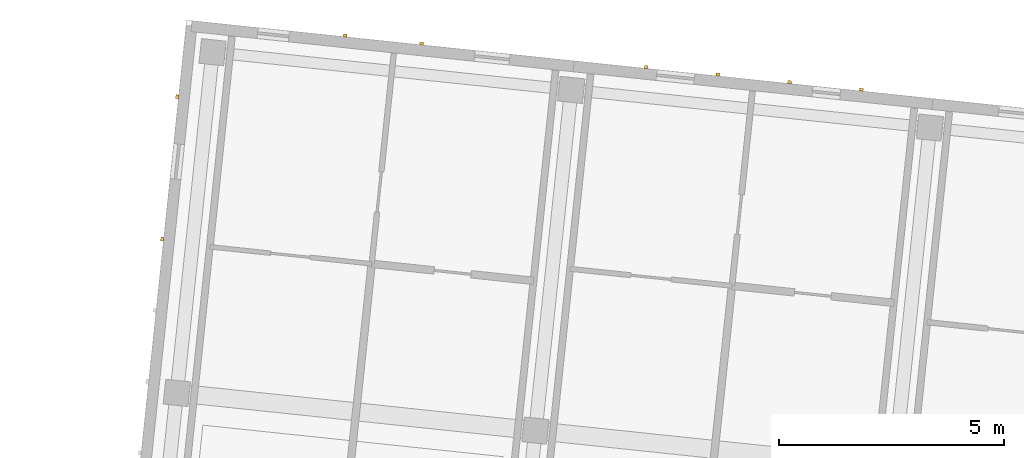
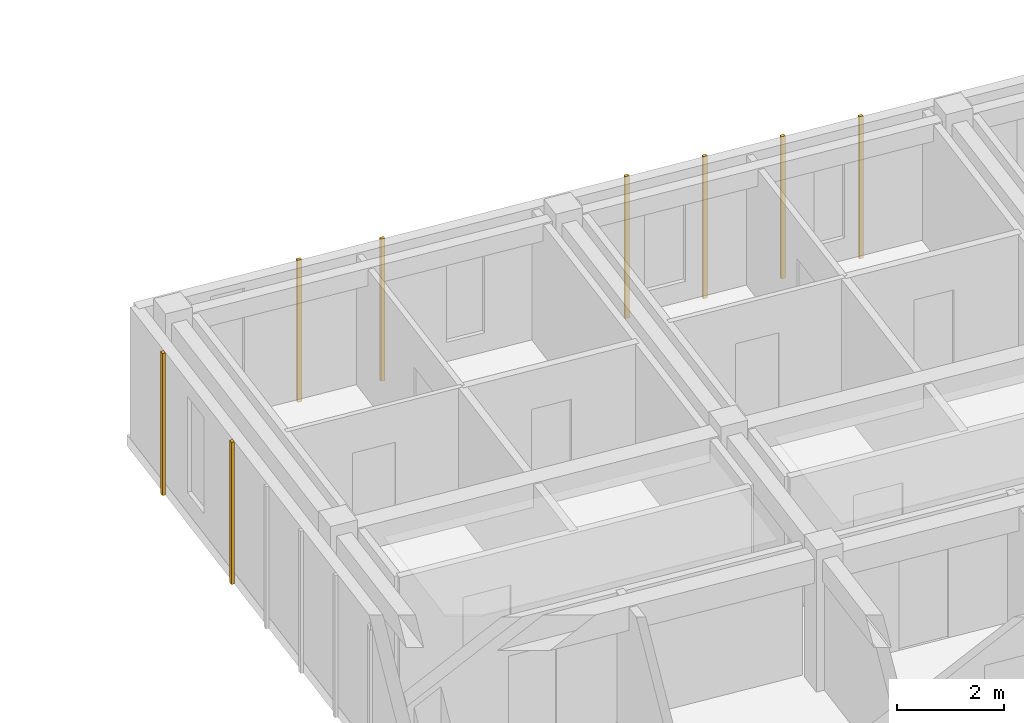
# One storey, part 64 of 74: 8 coverings.
"""IFC4 building model written with IfcOpenShell, lengths in metres."""

from ifc_helpers import new_model, si_unit, direction, frame, origin, origin_2d, place, context, subcontext, project, spatial, rectangle, extrude, material, layer, layer_set, type_object, element, save


model = new_model("IFC4")

# Units and contexts
model_context = context("Model", 3, precision=1e-05, world=origin(), true_north=direction((0.0, 1.0)))
body_context = subcontext(model_context, "Body", "Model", "MODEL_VIEW")
ifc_project = project(units=[si_unit("LENGTHUNIT", "METRE"), si_unit("AREAUNIT", "SQUARE_METRE"), si_unit("VOLUMEUNIT", "CUBIC_METRE"), si_unit("PLANEANGLEUNIT", "RADIAN"), si_unit("MASSUNIT", "GRAM", prefix="KILO")], contexts=[model_context])

# Site, building, storey
site_placement = place(None, origin())
site = spatial("IfcSite", under=ifc_project, at=site_placement, CompositionType="ELEMENT")
building_placement = place(site_placement, origin())
building = spatial("IfcBuilding", under=site, at=building_placement, Name="Kestramere Prow Commons", CompositionType="ELEMENT")
storey_placement = place(building_placement, frame((0.0, 0.0, 11.64990234375)))
storey = spatial("IfcBuildingStorey", under=building, at=storey_placement, Name="L03", CompositionType="ELEMENT", Elevation=11.64990234375)

# Coverings
ifc_material = material(Name="Weathered Zinc-Titanium Standing-Seam Cladding")
ifc_layer = layer(ifc_material, 0.074951171875)
ifc_layer_set = layer_set([ifc_layer], Name="Weathered Zinc-Titanium Standing-Seam Cladding")
covering_type = type_object("IfcCoveringType", Name="COV-CLAD-SEAM", PredefinedType="CLADDING", material=ifc_layer_set)
for number, where, z_axis, x_axis, name in (
    (1, (114.98876953125, 114.664794921875, -0.25), (0.0, 0.0, 1.0), (0.994521895368, -0.104528463268, 0.0), "EW-B-L03-N-0 Standing-Seam Rib 2"),
    (2, (116.684326171875, 114.486572265625, -0.25), (0.0, 0.0, 1.0), (0.994521895368, -0.104528463268, 0.0), "EW-B-L03-N-0 Standing-Seam Rib 3"),
    (3, (121.6669921875, 113.962890625, -0.25), (0.0, 0.0, 1.0), (0.994521895368, -0.104528463268, 0.0), "EW-B-L03-N-1 Standing-Seam Rib 1"),
    (4, (123.25830078125, 113.795654296875, -0.25), (0.0, 0.0, 1.0), (0.994521895368, -0.104528463268, 0.0), "EW-B-L03-N-1 Standing-Seam Rib 2"),
    (5, (124.849365234375, 113.62841796875, -0.25), (0.0, 0.0, 1.0), (0.994521895368, -0.104528463268, 0.0), "EW-B-L03-N-1 Standing-Seam Rib 3"),
    (6, (126.440673828125, 113.461181640625, -0.25), (0.0, 0.0, 1.0), (0.994521895368, -0.104528463268, 0.0), "EW-B-L03-N-1 Standing-Seam Rib 4"),
    (7, (110.931640625, 110.146240234375, -0.25), (0.0, 0.0, 1.0), (0.104528463268, 0.994521895368, 0.0), "EW-B-L03-EAV Standing-Seam Rib 10"),
    (8, (111.263916015625, 113.305908203125, -0.25), (0.0, 0.0, 1.0), (0.104528463268, 0.994521895368, 0.0), "EW-B-L03-EAV Standing-Seam Rib 12"),
):
    element("IfcCovering", number, at=place(storey_placement, frame(where, z_axis=z_axis, x_axis=x_axis)), inside=storey, type_object=covering_type, Name=name, PredefinedType="CLADDING", context=body_context, shape_type="SweptSolid", body=[
        extrude(rectangle(XDim=0.0849609375, YDim=0.06494140625, at=origin_2d()), origin(), (0.0, 0.0, 1.0), 3.25),
    ])

save(model, "model.ifc")
